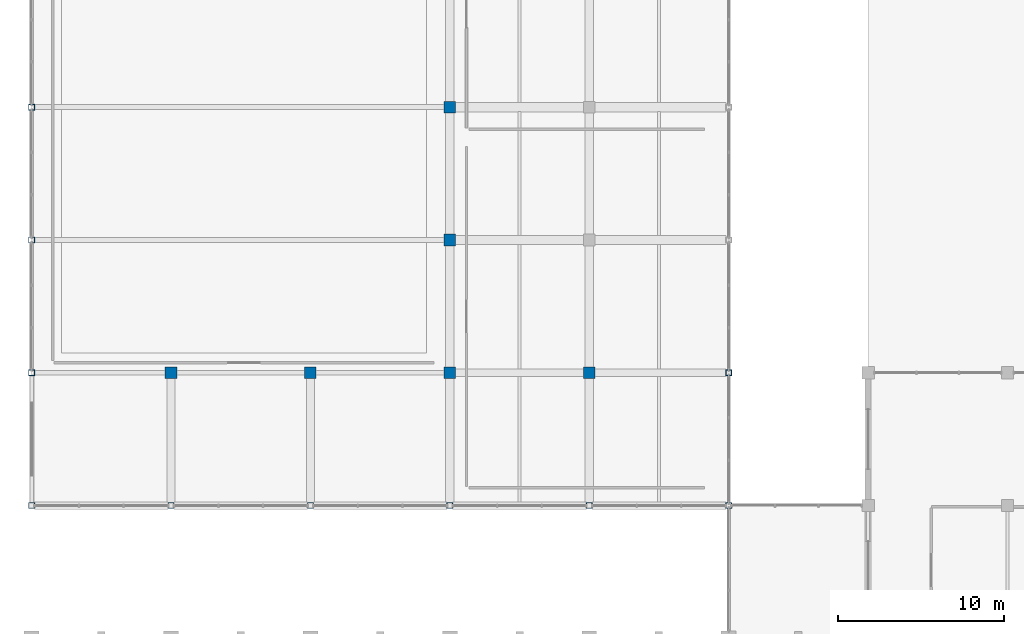
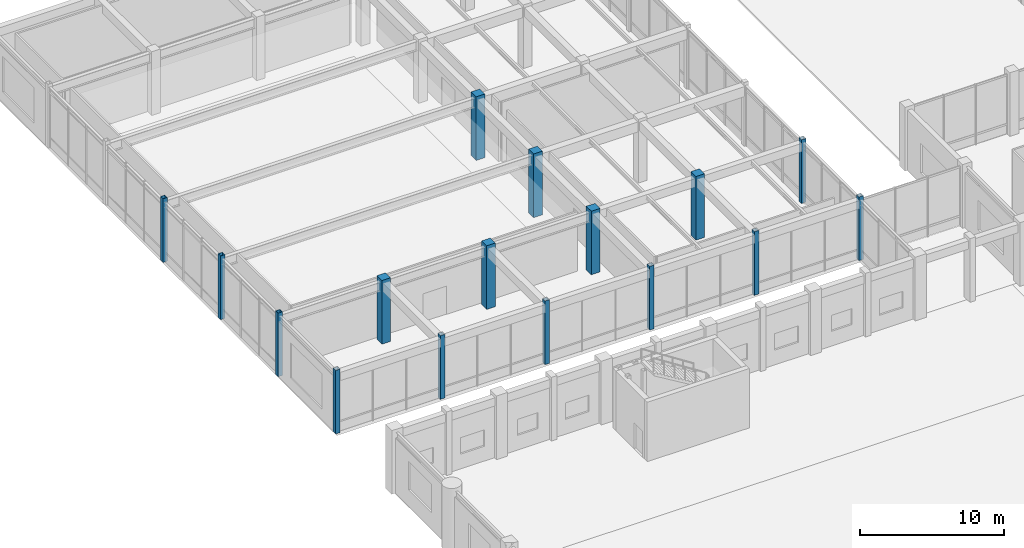
# One storey, part 9 of 79: 16 columns.
"""IFC4 building model written with IfcOpenShell, lengths in metres."""

from ifc_helpers import new_model, si_unit, direction, frame, origin, origin_2d, place, context, subcontext, project, spatial, rectangle, hollow_rectangle, extrude, material, material_profile, profile_set, type_object, element, save


model = new_model("IFC4")

# Units and contexts
model_context = context("Model", 3, precision=1e-05, world=origin(), true_north=direction((0.0, 1.0)))
body_context = subcontext(model_context, "Body", "Model", "MODEL_VIEW")
ifc_project = project(units=[si_unit("LENGTHUNIT", "METRE"), si_unit("AREAUNIT", "SQUARE_METRE"), si_unit("VOLUMEUNIT", "CUBIC_METRE"), si_unit("PLANEANGLEUNIT", "RADIAN"), si_unit("MASSUNIT", "GRAM", prefix="KILO")], contexts=[model_context])

# Site, building, storey
site_placement = place(None, origin())
site = spatial("IfcSite", under=ifc_project, at=site_placement, CompositionType="ELEMENT")
building_placement = place(site_placement, origin())
building = spatial("IfcBuilding", under=site, at=building_placement, Name="Naruveol Harbour Congress Hotel", CompositionType="ELEMENT")
storey_placement = place(building_placement, frame((0.0, 0.0, 6.0)))
storey = spatial("IfcBuildingStorey", under=building, at=storey_placement, Name="L01", CompositionType="ELEMENT", Elevation=6.0)

# Columns
ifc_material_1 = material(Name="Concrete C40/50", Category="concrete")
ifc_material_profile_1 = material_profile(ifc_material_1, rectangle(XDim=0.699951171875, YDim=0.699951171875, at=origin_2d()), Name="RC-700x700")
ifc_profile_set_1 = profile_set([ifc_material_profile_1], Name="Concrete C40/50")
column_type_1 = type_object("IfcColumnType", Name="RC HOTEL COLUMN 700X700", PredefinedType="COLUMN", material=ifc_profile_set_1)
for number, where, z_axis, x_axis, name in (
    (1, (8.39990234375, 72.0, 0.0), (0.0, 0.0, 1.0), (1.0, 0.0, 0.0), "Column C-700 L01 (8.4,72.0)"),
    (2, (16.800048828125, 72.0, 0.0), (0.0, 0.0, 1.0), (1.0, 0.0, 0.0), "Column C-700 L01 (16.8,72.0)"),
    (3, (25.199951171875, 72.0, 0.0), (0.0, 0.0, 1.0), (1.0, 0.0, 0.0), "Column C-700 L01 (25.2,72.0)"),
    (4, (25.199951171875, 80.0, 0.0), (0.0, 0.0, 1.0), (1.0, 0.0, 0.0), "Column C-700 L01 (25.2,80.0)"),
    (5, (25.199951171875, 88.0, 0.0), (0.0, 0.0, 1.0), (1.0, 0.0, 0.0), "Column C-700 L01 (25.2,88.0)"),
    (6, (33.60009765625, 72.0, 0.0), (0.0, 0.0, 1.0), (1.0, 0.0, 0.0), "Column C-700 L01 (33.6,72.0)"),
):
    element("IfcColumn", number, at=place(storey_placement, frame(where, z_axis=z_axis, x_axis=x_axis)), inside=storey, type_object=column_type_1, Name=name, PredefinedType="COLUMN", context=body_context, shape_type="SweptSolid", body=[
        extrude(rectangle(XDim=0.699951171875, YDim=0.699951171875, at=origin_2d()), origin(), (0.0, 0.0, 1.0), 5.39990234375),
    ])
ifc_material_2 = material(Name="Steel SN490", Category="steel")
ifc_material_profile_2 = material_profile(ifc_material_2, hollow_rectangle(XDim=0.35009765625, YDim=0.35009765625, WallThickness=0.01611328125, at=origin_2d()), Name="SHS-350x350x16")
ifc_profile_set_2 = profile_set([ifc_material_profile_2], Name="Steel SN490")
column_type_2 = type_object("IfcColumnType", Name="STEEL PAVILION COLUMN SHS350", PredefinedType="COLUMN", material=ifc_profile_set_2)
for number, where, z_axis, x_axis, name in (
    (7, (0.0, 64.0, 0.0), (0.0, 0.0, 1.0), (1.0, 0.0, 0.0), "Column SC-S350 L01 (0.0,64.0)"),
    (8, (0.0, 72.0, 0.0), (0.0, 0.0, 1.0), (1.0, 0.0, 0.0), "Column SC-S350 L01 (0.0,72.0)"),
    (9, (0.0, 80.0, 0.0), (0.0, 0.0, 1.0), (1.0, 0.0, 0.0), "Column SC-S350 L01 (0.0,80.0)"),
    (10, (0.0, 88.0, 0.0), (0.0, 0.0, 1.0), (1.0, 0.0, 0.0), "Column SC-S350 L01 (0.0,88.0)"),
    (11, (8.39990234375, 64.0, 0.0), (0.0, 0.0, 1.0), (1.0, 0.0, 0.0), "Column SC-S350 L01 (8.4,64.0)"),
    (12, (16.800048828125, 64.0, 0.0), (0.0, 0.0, 1.0), (1.0, 0.0, 0.0), "Column SC-S350 L01 (16.8,64.0)"),
    (13, (25.199951171875, 64.0, 0.0), (0.0, 0.0, 1.0), (1.0, 0.0, 0.0), "Column SC-S350 L01 (25.2,64.0)"),
    (14, (33.60009765625, 64.0, 0.0), (0.0, 0.0, 1.0), (1.0, 0.0, 0.0), "Column SC-S350 L01 (33.6,64.0)"),
    (15, (42.0, 64.0, 0.0), (0.0, 0.0, 1.0), (1.0, 0.0, 0.0), "Column SC-S350 L01 (42.0,64.0)"),
    (16, (42.0, 72.0, 0.0), (0.0, 0.0, 1.0), (1.0, 0.0, 0.0), "Column SC-S350 L01 (42.0,72.0)"),
):
    element("IfcColumn", number, at=place(storey_placement, frame(where, z_axis=z_axis, x_axis=x_axis)), inside=storey, type_object=column_type_2, Name=name, PredefinedType="COLUMN", context=body_context, shape_type="SweptSolid", body=[
        extrude(hollow_rectangle(XDim=0.35009765625, YDim=0.35009765625, WallThickness=0.01611328125, at=origin_2d()), origin(), (0.0, 0.0, 1.0), 5.39990234375),
    ])

save(model, "model.ifc")
